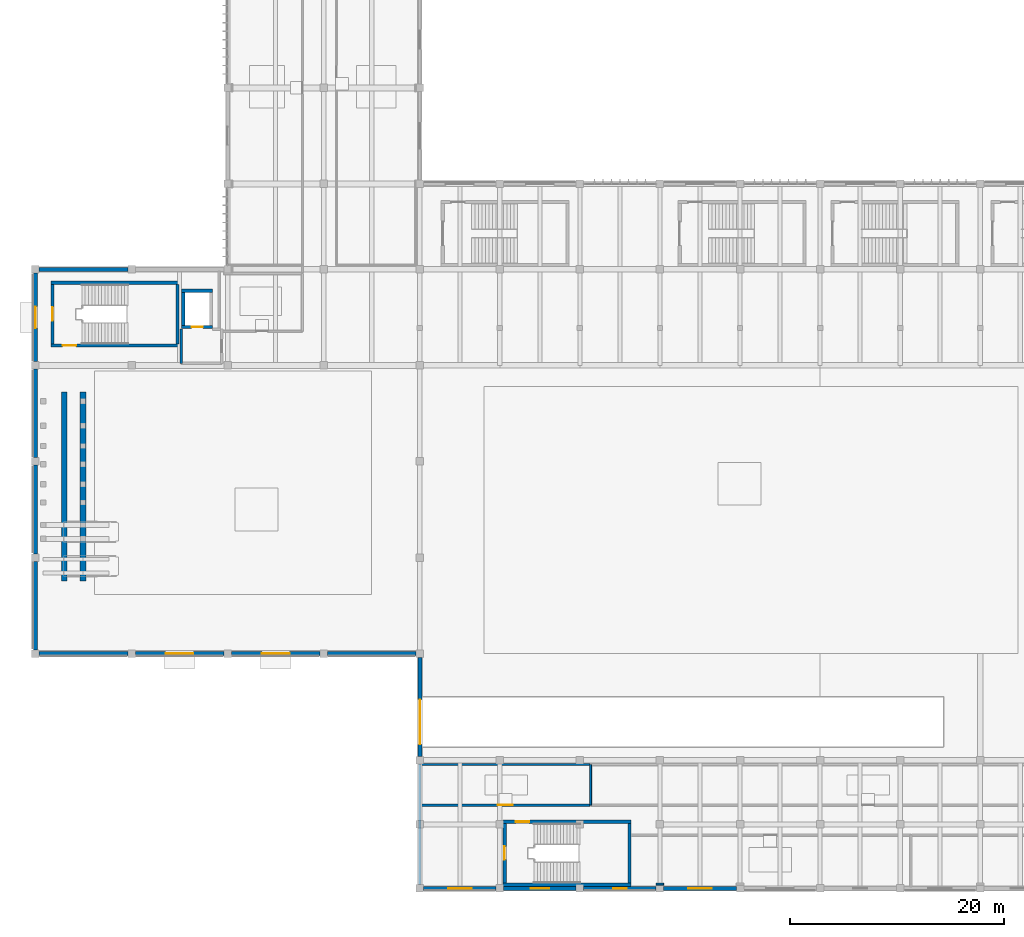
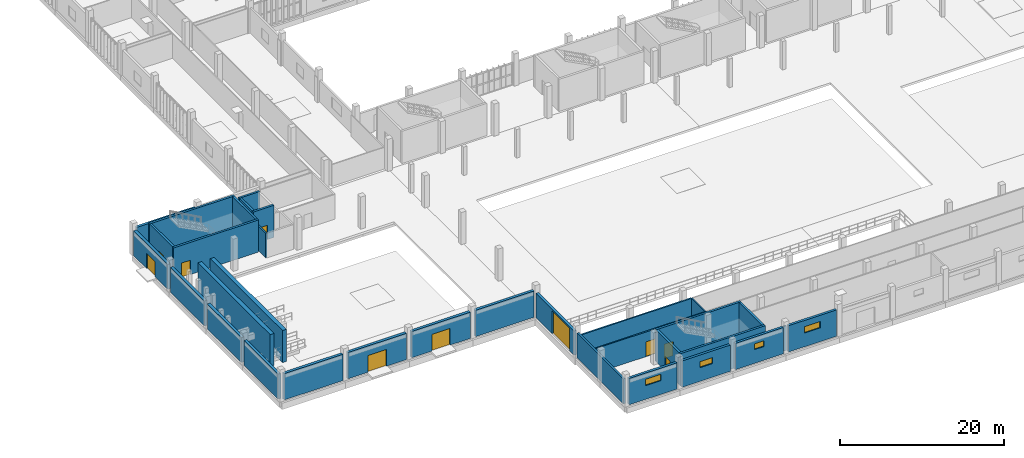
# One storey, part 42 of 72: 33 walls, 10 doors, 4 windows, 14 openings.
"""IFC4 building model written with IfcOpenShell, lengths in metres."""

import ifcopenshell
import ifcopenshell.guid

model = None  # the IFC model being written
_history = None  # IfcOwnerHistory: only IFC2X3 demands one
_inside = {}  # id of a spatial element -> (the spatial element, [elements in it])
_under = {}  # id of a project, library or spatial element -> (it, [spatial elements below it])
_declared = {}  # id of a project -> (the project, [libraries it declares])
_typed = {}  # id of a type object -> (the type object, [elements of that type])
_made_of = {}  # id of a material, layer set ... -> (it, [elements and type objects made of it])


def new_model(schema):
    """Start an empty IFC model of exactly this schema.

    Asked for "IFC4X3", IfcOpenShell would pick the latest addendum, in which some entities
    have other attributes; the version numbers below select the first issue.
    IFC2X3 requires an IfcOwnerHistory on every rooted entity: one is made here for all.
    """
    global model, _history
    if schema == "IFC4X3":
        model = ifcopenshell.file(schema_version=(4, 3, 0, 0))
    else:
        model = ifcopenshell.file(schema=schema)
    _inside.clear()
    _under.clear()
    _declared.clear()
    _typed.clear()
    _made_of.clear()
    _history = None
    if model.schema == "IFC2X3":
        org = make("IfcOrganization", Name="unknown")
        user = make(
            "IfcPersonAndOrganization",
            ThePerson=make("IfcPerson", FamilyName="unknown"),
            TheOrganization=org,
        )
        app = make(
            "IfcApplication",
            ApplicationDeveloper=org,
            Version="unknown",
            ApplicationFullName="unknown",
            ApplicationIdentifier="unknown",
        )
        _history = make(
            "IfcOwnerHistory",
            OwningUser=user,
            OwningApplication=app,
            ChangeAction="ADDED",
            CreationDate=0,
        )
    return model


def make(cls, **values):
    """One entity of the class cls with the attributes given. An attribute that is None is left unset."""
    return model.create_entity(
        cls, **{name: value for name, value in values.items() if value is not None}
    )


def rooted(cls, **values):
    """An entity with a GlobalId (a new one), such as an element, a storey or a relation."""
    return make(cls, GlobalId=ifcopenshell.guid.new(), OwnerHistory=_history, **values)


def si_unit(unit_type, name, prefix=None):
    """IfcSIUnit, for example si_unit("LENGTHUNIT", "METRE", prefix="MILLI")."""
    return make("IfcSIUnit", UnitType=unit_type, Prefix=prefix, Name=name)


def assignment(units):
    """IfcUnitAssignment: the units of a project."""
    return None if units is None else make("IfcUnitAssignment", Units=units)


def point(xyz):
    """IfcCartesianPoint."""
    return None if xyz is None else make("IfcCartesianPoint", Coordinates=xyz)


def direction(xyz):
    """IfcDirection."""
    return None if xyz is None else make("IfcDirection", DirectionRatios=xyz)


def frame(location, z_axis=None, x_axis=None):
    """IfcAxis2Placement3D, a coordinate frame: its origin and axes. An axis left out is left unset."""
    return make(
        "IfcAxis2Placement3D",
        Location=point(location),
        Axis=direction(z_axis),
        RefDirection=direction(x_axis),
    )


def frame_2d(location, x_axis=None):
    """IfcAxis2Placement2D, a coordinate frame in the plane: its origin and x axis."""
    return make(
        "IfcAxis2Placement2D", Location=point(location), RefDirection=direction(x_axis)
    )


def origin():
    """The frame at (0, 0, 0) with its axes left unset."""
    return frame((0.0, 0.0, 0.0))


def place(relative_to, where):
    """IfcLocalPlacement: puts the frame where relative to a parent placement (None: the world)."""
    return make(
        "IfcLocalPlacement", PlacementRelTo=relative_to, RelativePlacement=where
    )


def context(
    kind, dimensions, precision=None, world=None, true_north=None, identifier=None
):
    """IfcGeometricRepresentationContext, for example the 3D "Model" context."""
    return make(
        "IfcGeometricRepresentationContext",
        ContextIdentifier=identifier,
        ContextType=kind,
        CoordinateSpaceDimension=dimensions,
        Precision=precision,
        WorldCoordinateSystem=world,
        TrueNorth=true_north,
    )


def subcontext(parent, identifier, kind, view, scale=None):
    """IfcGeometricRepresentationSubContext, for example "Body" below "Model"."""
    return make(
        "IfcGeometricRepresentationSubContext",
        ContextIdentifier=identifier,
        ContextType=kind,
        ParentContext=parent,
        TargetScale=scale,
        TargetView=view,
    )


def project(units=None, contexts=None):
    """IfcProject with its units and contexts."""
    return rooted(
        "IfcProject",
        Name="project",
        RepresentationContexts=contexts,
        UnitsInContext=assignment(units),
    )


def spatial(cls, under=None, at=None, **own):
    """A site, building, storey or space (cls), placed at a placement, below another one or the project."""
    s = rooted(cls, ObjectPlacement=at, **own)
    if under is not None:
        _under.setdefault(under.id(), (under, []))[1].append(s)
    return s


def profile(cls, at=None, kind="AREA", **sizes):
    """A parametric profile (cls). Its sizes go by their IFC names, for example OverallWidth=200.0."""
    return make(cls, ProfileType=kind, Position=at, **sizes)


def rectangle(**sizes):
    """IfcRectangleProfileDef."""
    return profile("IfcRectangleProfileDef", **sizes)


def extrude(swept, where, along, depth):
    """IfcExtrudedAreaSolid: the profile swept, set in the frame where, extruded along a direction by depth."""
    return make(
        "IfcExtrudedAreaSolid",
        SweptArea=swept,
        Position=where,
        ExtrudedDirection=direction(along),
        Depth=depth,
    )


def shape(context_of_items, identifier, shape_type, items):
    """IfcShapeRepresentation: the items that make up one representation, for example the "Body"."""
    return make(
        "IfcShapeRepresentation",
        ContextOfItems=context_of_items,
        RepresentationIdentifier=identifier,
        RepresentationType=shape_type,
        Items=items,
    )


def material(Name=None, Category=None):
    """IfcMaterial."""
    return make("IfcMaterial", Name=Name, Category=Category)


def layer(
    of_material, thickness, ventilated=None, Name=None, Category=None, Priority=None
):
    """IfcMaterialLayer: one layer of a wall or slab, of a material (None: an air gap)."""
    return make(
        "IfcMaterialLayer",
        Material=of_material,
        LayerThickness=thickness,
        IsVentilated=ventilated,
        Name=Name,
        Category=Category,
        Priority=Priority,
    )


def layer_set(layers, Name=None):
    """IfcMaterialLayerSet."""
    return make("IfcMaterialLayerSet", MaterialLayers=layers, LayerSetName=Name)


def made_of(thing, what):
    """Note that an element or type object is made of a material, layer set ...; save() writes the relation."""
    if what is not None:
        _made_of.setdefault(what.id(), (what, []))[1].append(thing)
    return thing


def type_object(cls, material=None, **own):
    """A type object (cls), such as IfcWallType, which elements share."""
    return made_of(rooted(cls, **own), material)


def element(
    cls,
    number,
    at=None,
    inside=None,
    cuts=None,
    type_object=None,
    material=None,
    context=None,
    identifier="Body",
    shape_type=None,
    held_by="IfcProductDefinitionShape",
    body=None,
    shapes=None,
    **own,
):
    """One element of the class cls, such as IfcWall. Its Tag is "e" and its number.

    at: its placement. inside: the storey or other place that contains it. cuts: it is an
    opening in that element (IfcRelVoidsElement). A single representation is given by context,
    identifier, shape_type and body (its items); several are given by shapes. held_by: the class
    of the entity that holds the representations. save() writes the other relations.
    """
    e = rooted(cls, Tag="e%d" % number, ObjectPlacement=at, **own)
    if body is not None:
        shapes = [shape(context, identifier, shape_type, body)]
    if shapes is not None:
        e.Representation = make(held_by, Representations=shapes)
    if inside is not None:
        _inside.setdefault(inside.id(), (inside, []))[1].append(e)
    if cuts is not None:
        rooted(
            "IfcRelVoidsElement", RelatingBuildingElement=cuts, RelatedOpeningElement=e
        )
    if type_object is not None:
        _typed.setdefault(type_object.id(), (type_object, []))[1].append(e)
    return made_of(e, material)


def fill(opening, filler):
    """IfcRelFillsElement: the door or window that sits in an opening."""
    return rooted(
        "IfcRelFillsElement",
        RelatingOpeningElement=opening,
        RelatedBuildingElement=filler,
    )


def aggregate(whole, parts):
    """IfcRelAggregates: a whole, such as a stair, and the parts it consists of."""
    return rooted("IfcRelAggregates", RelatingObject=whole, RelatedObjects=parts)


def save(model, path):
    """Write the relations noted so far, then the file.

    IfcRelAggregates (storeys below a building ...), IfcRelContainedInSpatialStructure (elements
    in a storey), IfcRelDefinesByType, IfcRelAssociatesMaterial and IfcRelDeclares: one each for
    every whole, place, type object, material and project.
    """
    for whole, parts in _under.values():
        aggregate(whole, parts)
    for where, things in _inside.values():
        rooted(
            "IfcRelContainedInSpatialStructure",
            RelatedElements=things,
            RelatingStructure=where,
        )
    for kind, things in _typed.values():
        rooted("IfcRelDefinesByType", RelatedObjects=things, RelatingType=kind)
    for what, things in _made_of.values():
        rooted("IfcRelAssociatesMaterial", RelatedObjects=things, RelatingMaterial=what)
    for by, libraries in _declared.values():
        rooted("IfcRelDeclares", RelatingContext=by, RelatedDefinitions=libraries)
    model.write(path)


model = new_model("IFC4")

# Units and contexts
model_context = context("Model", 3, precision=1e-05, world=origin(), true_north=direction((0.0, 1.0)))
body_context = subcontext(model_context, "Body", "Model", "MODEL_VIEW")
ifc_project = project(units=[si_unit("LENGTHUNIT", "METRE"), si_unit("AREAUNIT", "SQUARE_METRE"), si_unit("VOLUMEUNIT", "CUBIC_METRE"), si_unit("PLANEANGLEUNIT", "RADIAN"), si_unit("MASSUNIT", "GRAM", prefix="KILO")], contexts=[model_context])

# Site, building, storey
site_placement = place(None, origin())
site = spatial("IfcSite", under=ifc_project, at=site_placement, CompositionType="ELEMENT")
building_placement = place(site_placement, origin())
building = spatial("IfcBuilding", under=site, at=building_placement, Name="Vourika Railside Aquatics Centre", CompositionType="ELEMENT")
storey_placement = place(building_placement, origin())
storey = spatial("IfcBuildingStorey", under=building, at=storey_placement, Name="L00", CompositionType="ELEMENT", Elevation=0.0)

# Wall, opening, door
ifc_material_1 = material(Name="Concrete C40/50", Category="concrete")
ifc_layer_1 = layer(ifc_material_1, 0.300048828125, Name="WL-CORE")
ifc_layer_set_1 = layer_set([ifc_layer_1], Name="Concrete C40/50")
wall_type_1 = type_object("IfcWallType", Name="WL-CORE", PredefinedType="SHEAR", material=ifc_layer_set_1)
wall_1_placement = place(storey_placement, frame((1.449951171875, 50.85009765625, 0.0), z_axis=(0.0, 0.0, 1.0), x_axis=(1.0, 0.0, 0.0)))
wall_1 = element("IfcWall", 1, at=wall_1_placement, inside=storey, type_object=wall_type_1, Name="Protected Exit Stair Core ST04 South Wall (L00)", PredefinedType="SHEAR", context=body_context, shape_type="SweptSolid", body=[
    extrude(rectangle(XDim=12.0, YDim=0.300048828125, at=frame_2d((6.0, 0.0))), origin(), (0.0, 0.0, 1.0), 4.800048828125),
])
opening_1_placement = place(wall_1_placement, frame((1.10009765625, 0.0, 0.0)))
opening_1 = element("IfcOpeningElement", 2, at=opening_1_placement, cuts=wall_1, Name="Opening DF02", PredefinedType="OPENING", context=body_context, shape_type="SweptSolid", body=[
    extrude(rectangle(XDim=1.25, YDim=2.14990234375, at=frame_2d((0.625, 1.074951171875))), frame((0.0, 0.16015625, 0.0), z_axis=(0.0, -1.0, 0.0), x_axis=(1.0, 0.0, 0.0)), (0.0, 0.0, 1.0), 0.320068359375),
])
ifc_material_2 = material(Name="Fire-rated wide exit stair door")
door_type_1 = type_object("IfcDoorType", Name="DR-FD60-125", OperationType="NOTDEFINED", PredefinedType="DOOR", material=ifc_material_2)
door_1_placement = place(opening_1_placement, origin())
door_1 = element("IfcDoor", 3, at=door_1_placement, inside=storey, type_object=door_type_1, Name="Protected Exit Stair Core ST04 Enclosure Fire Door (L00)", OperationType="SINGLE_SWING_RIGHT", OverallHeight=2.14990234375, OverallWidth=1.25, PredefinedType="DOOR", context=body_context, shape_type="SweptSolid", body=[
    extrude(rectangle(XDim=1.25, YDim=2.14990234375, at=frame_2d((0.625, 1.074951171875))), frame((0.0, 0.02490234375, 0.0), z_axis=(0.0, -1.0, 0.0), x_axis=(1.0, 0.0, 0.0)), (0.0, 0.0, 1.0), 0.050048828125),
])
fill(opening_1, door_1)

# Wall
wall_2_placement = place(storey_placement, frame((13.449951171875, 56.75, 0.0), z_axis=(0.0, 0.0, 1.0), x_axis=(-1.0, 0.0, 0.0)))
element("IfcWall", 4, at=wall_2_placement, inside=storey, type_object=wall_type_1, Name="Protected Exit Stair Core ST04 North Wall (L00)", PredefinedType="SHEAR", context=body_context, shape_type="SweptSolid", body=[
    extrude(rectangle(XDim=12.0, YDim=0.300048828125, at=frame_2d((6.0, 0.0))), origin(), (0.0, 0.0, 1.0), 4.800048828125),
])

# Wall, opening, door
wall_3_placement = place(storey_placement, frame((1.60009765625, 56.60009765625, 0.0), z_axis=(0.0, 0.0, 1.0), x_axis=(0.0, -1.0, 0.0)))
wall_3 = element("IfcWall", 5, at=wall_3_placement, inside=storey, type_object=wall_type_1, Name="Protected Exit Stair Core ST04 West Wall (L00)", PredefinedType="SHEAR", context=body_context, shape_type="SweptSolid", body=[
    extrude(rectangle(XDim=5.60009765625, YDim=0.300048828125, at=frame_2d((2.800048828125, 0.0))), origin(), (0.0, 0.0, 1.0), 4.800048828125),
])
opening_2_placement = place(wall_3_placement, frame((2.14990234375, 0.0, 0.0)))
opening_2 = element("IfcOpeningElement", 6, at=opening_2_placement, cuts=wall_3, Name="Opening DF02", PredefinedType="OPENING", context=body_context, shape_type="SweptSolid", body=[
    extrude(rectangle(XDim=1.25, YDim=2.14990234375, at=frame_2d((0.625, 1.074951171875))), frame((0.0, 0.16015625, 0.0), z_axis=(0.0, -1.0, 0.0), x_axis=(1.0, 0.0, 0.0)), (0.0, 0.0, 1.0), 0.320068359375),
])
door_2_placement = place(opening_2_placement, origin())
door_2 = element("IfcDoor", 7, at=door_2_placement, inside=storey, type_object=door_type_1, Name="Protected Exit Stair Core ST04 Grade Exit Vestibule Door", OperationType="SINGLE_SWING_LEFT", OverallHeight=2.14990234375, OverallWidth=1.25, PredefinedType="DOOR", context=body_context, shape_type="SweptSolid", body=[
    extrude(rectangle(XDim=1.25, YDim=2.14990234375, at=frame_2d((0.625, 1.074951171875))), frame((0.0, 0.02490234375, 0.0), z_axis=(0.0, -1.0, 0.0), x_axis=(1.0, 0.0, 0.0)), (0.0, 0.0, 1.0), 0.050048828125),
])
fill(opening_2, door_2)

# Walls
wall_4_placement = place(storey_placement, frame((13.300048828125, 51.0, 0.0), z_axis=(0.0, 0.0, 1.0), x_axis=(0.0, 1.0, 0.0)))
element("IfcWall", 8, at=wall_4_placement, inside=storey, type_object=wall_type_1, Name="Protected Exit Stair Core ST04 East Wall (L00)", PredefinedType="SHEAR", context=body_context, shape_type="SweptSolid", body=[
    extrude(rectangle(XDim=5.60009765625, YDim=0.300048828125, at=frame_2d((2.800048828125, 0.0))), origin(), (0.0, 0.0, 1.0), 4.800048828125),
])
wall_5_placement = place(storey_placement, frame((55.800048828125, 0.35009765625, 0.0), z_axis=(0.0, 0.0, 1.0), x_axis=(-1.0, 0.0, 0.0)))
element("IfcWall", 9, at=wall_5_placement, inside=storey, type_object=wall_type_1, Name="Protected Exit Stair Core ST11 South Wall (L00)", PredefinedType="SHEAR", context=body_context, shape_type="SweptSolid", body=[
    extrude(rectangle(XDim=12.0, YDim=0.300048828125, at=frame_2d((6.0, 0.0))), origin(), (0.0, 0.0, 1.0), 4.800048828125),
])

# Wall, opening, door
wall_6_placement = place(storey_placement, frame((55.800048828125, 6.25, 0.0), z_axis=(0.0, 0.0, 1.0), x_axis=(-1.0, 0.0, 0.0)))
wall_6 = element("IfcWall", 10, at=wall_6_placement, inside=storey, type_object=wall_type_1, Name="Protected Exit Stair Core ST11 North Wall (L00)", PredefinedType="SHEAR", context=body_context, shape_type="SweptSolid", body=[
    extrude(rectangle(XDim=12.0, YDim=0.300048828125, at=frame_2d((6.0, 0.0))), origin(), (0.0, 0.0, 1.0), 4.800048828125),
])
opening_3_placement = place(wall_6_placement, frame((9.550048828125, 0.0, 0.0)))
opening_3 = element("IfcOpeningElement", 11, at=opening_3_placement, cuts=wall_6, Name="Opening DF02", PredefinedType="OPENING", context=body_context, shape_type="SweptSolid", body=[
    extrude(rectangle(XDim=1.25, YDim=2.14990234375, at=frame_2d((0.625, 1.074951171875))), frame((0.0, 0.16015625, 0.0), z_axis=(0.0, -1.0, 0.0), x_axis=(1.0, 0.0, 0.0)), (0.0, 0.0, 1.0), 0.320068359375),
])
door_3_placement = place(opening_3_placement, origin())
door_3 = element("IfcDoor", 12, at=door_3_placement, inside=storey, type_object=door_type_1, Name="Protected Exit Stair Core ST11 Enclosure Fire Door (L00)", OperationType="SINGLE_SWING_LEFT", OverallHeight=2.14990234375, OverallWidth=1.25, PredefinedType="DOOR", context=body_context, shape_type="SweptSolid", body=[
    extrude(rectangle(XDim=1.25, YDim=2.14990234375, at=frame_2d((0.625, 1.074951171875))), frame((0.0, 0.02490234375, 0.0), z_axis=(0.0, -1.0, 0.0), x_axis=(1.0, 0.0, 0.0)), (0.0, 0.0, 1.0), 0.050048828125),
])
fill(opening_3, door_3)

wall_7_placement = place(storey_placement, frame((43.949951171875, 6.10009765625, 0.0), z_axis=(0.0, 0.0, 1.0), x_axis=(0.0, -1.0, 0.0)))
wall_7 = element("IfcWall", 13, at=wall_7_placement, inside=storey, type_object=wall_type_1, Name="Protected Exit Stair Core ST11 West Wall (L00)", PredefinedType="SHEAR", context=body_context, shape_type="SweptSolid", body=[
    extrude(rectangle(XDim=5.60009765625, YDim=0.300048828125, at=frame_2d((2.800048828125, 0.0))), origin(), (0.0, 0.0, 1.0), 4.800048828125),
])
opening_4_placement = place(wall_7_placement, frame((2.14990234375, 0.0, 0.0)))
opening_4 = element("IfcOpeningElement", 14, at=opening_4_placement, cuts=wall_7, Name="Opening DF02", PredefinedType="OPENING", context=body_context, shape_type="SweptSolid", body=[
    extrude(rectangle(XDim=1.25, YDim=2.14990234375, at=frame_2d((0.625, 1.074951171875))), frame((0.0, 0.16015625, 0.0), z_axis=(0.0, -1.0, 0.0), x_axis=(1.0, 0.0, 0.0)), (0.0, 0.0, 1.0), 0.320068359375),
])
door_4_placement = place(opening_4_placement, origin())
door_4 = element("IfcDoor", 15, at=door_4_placement, inside=storey, type_object=door_type_1, Name="Protected Exit Stair Core ST11 Grade Exit Vestibule Door", OperationType="SINGLE_SWING_RIGHT", OverallHeight=2.14990234375, OverallWidth=1.25, PredefinedType="DOOR", context=body_context, shape_type="SweptSolid", body=[
    extrude(rectangle(XDim=1.25, YDim=2.14990234375, at=frame_2d((0.625, 1.074951171875))), frame((0.0, 0.02490234375, 0.0), z_axis=(0.0, -1.0, 0.0), x_axis=(1.0, 0.0, 0.0)), (0.0, 0.0, 1.0), 0.050048828125),
])
fill(opening_4, door_4)

# Wall
wall_8_placement = place(storey_placement, frame((55.64990234375, 0.5, 0.0), z_axis=(0.0, 0.0, 1.0), x_axis=(0.0, 1.0, 0.0)))
element("IfcWall", 16, at=wall_8_placement, inside=storey, type_object=wall_type_1, Name="Protected Exit Stair Core ST11 East Wall (L00)", PredefinedType="SHEAR", context=body_context, shape_type="SweptSolid", body=[
    extrude(rectangle(XDim=5.60009765625, YDim=0.300048828125, at=frame_2d((2.800048828125, 0.0))), origin(), (0.0, 0.0, 1.0), 4.800048828125),
])

# Wall, opening, door
wall_9_placement = place(storey_placement, frame((13.699951171875, 52.60009765625, 0.0), z_axis=(0.0, 0.0, 1.0), x_axis=(1.0, 0.0, 0.0)))
wall_9 = element("IfcWall", 17, at=wall_9_placement, inside=storey, type_object=wall_type_1, Name="Lift LP02 Shaft South Wall (L00)", PredefinedType="SHEAR", context=body_context, shape_type="SweptSolid", body=[
    extrude(rectangle(XDim=2.900146484375, YDim=0.300048828125, at=frame_2d((1.4501953125, 0.0))), origin(), (0.0, 0.0, 1.0), 4.800048828125),
])
opening_5_placement = place(wall_9_placement, frame((0.925048828125, 0.0, 0.0)))
opening_5 = element("IfcOpeningElement", 18, at=opening_5_placement, cuts=wall_9, Name="Opening LD02", PredefinedType="OPENING", context=body_context, shape_type="SweptSolid", body=[
    extrude(rectangle(XDim=1.050048828125, YDim=2.14990234375, at=frame_2d((0.52490234375, 1.074951171875))), frame((0.0, 0.16015625, 0.0), z_axis=(0.0, -1.0, 0.0), x_axis=(1.0, 0.0, 0.0)), (0.0, 0.0, 1.0), 0.320068359375),
])
ifc_material_3 = material(Name="Stainless passenger lift landing door")
door_type_2 = type_object("IfcDoorType", Name="DR-LIFT-LD2", OperationType="DOUBLE_DOOR_SLIDING", PredefinedType="DOOR", material=ifc_material_3)
door_5_placement = place(opening_5_placement, origin())
door_5 = element("IfcDoor", 19, at=door_5_placement, inside=storey, type_object=door_type_2, Name="Lift LP02 Sliding Landing Door (L00)", OperationType="DOUBLE_DOOR_SLIDING", OverallHeight=2.14990234375, OverallWidth=1.050048828125, PredefinedType="DOOR", context=body_context, shape_type="SweptSolid", body=[
    extrude(rectangle(XDim=1.050048828125, YDim=2.14990234375, at=frame_2d((0.52490234375, 1.074951171875))), frame((0.0, 0.02490234375, 0.0), z_axis=(0.0, -1.0, 0.0), x_axis=(1.0, 0.0, 0.0)), (0.0, 0.0, 1.0), 0.050048828125),
])
fill(opening_5, door_5)

# Walls
wall_10_placement = place(storey_placement, frame((16.60009765625, 56.0, 0.0), z_axis=(0.0, 0.0, 1.0), x_axis=(-1.0, 0.0, 0.0)))
element("IfcWall", 20, at=wall_10_placement, inside=storey, type_object=wall_type_1, Name="Lift LP02 Shaft North Wall (L00)", PredefinedType="SHEAR", context=body_context, shape_type="SweptSolid", body=[
    extrude(rectangle(XDim=2.900146484375, YDim=0.300048828125, at=frame_2d((1.4501953125, 0.0))), origin(), (0.0, 0.0, 1.0), 4.800048828125),
])
wall_11_placement = place(storey_placement, frame((13.85009765625, 56.0, 0.0), z_axis=(0.0, 0.0, 1.0), x_axis=(0.0, -1.0, 0.0)))
element("IfcWall", 21, at=wall_11_placement, inside=storey, type_object=wall_type_1, Name="Lift LP02 Shaft West Wall (L00)", PredefinedType="SHEAR", context=body_context, shape_type="SweptSolid", body=[
    extrude(rectangle(XDim=3.39990234375, YDim=0.300048828125, at=frame_2d((1.699951171875, 0.0))), origin(), (0.0, 0.0, 1.0), 4.800048828125),
])
ifc_layer_2 = layer(ifc_material_1, 0.550048828125, Name="WL-DIVE-550")
ifc_layer_set_2 = layer_set([ifc_layer_2], Name="Concrete C40/50")
wall_type_2 = type_object("IfcWallType", Name="WL-DIVE-550", PredefinedType="SOLIDWALL", material=ifc_layer_set_2)
for number, where, z_axis, x_axis, name in (
    (22, (2.699951171875, 28.800048828125, 0.0), (0.0, 0.0, 1.0), (0.0, 1.0, 0.0), "Sculpted Diving Tower Spine Wall W (L00)"),
    (23, (4.449951171875, 28.800048828125, 0.0), (0.0, 0.0, 1.0), (0.0, 1.0, 0.0), "Sculpted Diving Tower Spine Wall E (L00)"),
):
    element("IfcWall", number, at=place(storey_placement, frame(where, z_axis=z_axis, x_axis=x_axis)), inside=storey, type_object=wall_type_2, Name=name, PredefinedType="SOLIDWALL", context=body_context, shape_type="SweptSolid", body=[
        extrude(rectangle(XDim=17.699951171875, YDim=0.550048828125, at=frame_2d((8.85009765625, 0.0))), origin(), (0.0, 0.0, 1.0), 4.800048828125),
    ])
ifc_material_4 = material(Name="Precast concrete C40/50", Category="concrete")
ifc_layer_3 = layer(ifc_material_4, 0.27001953125, Name="WL-EXT-270")
ifc_layer_set_3 = layer_set([ifc_layer_3], Name="Precast concrete C40/50")
wall_type_3 = type_object("IfcWallType", Name="WL-EXT-270", PredefinedType="SOLIDWALL", material=ifc_layer_set_3)
wall_12_placement = place(storey_placement, frame((36.0, 11.64990234375, 0.0), z_axis=(0.0, 0.0, 1.0), x_axis=(0.0, -1.0, 0.0)))
element("IfcWall", 24, at=wall_12_placement, inside=storey, type_object=wall_type_3, Name="Changing Village West Return Wall (L00)", PredefinedType="SOLIDWALL", context=body_context, shape_type="SweptSolid", body=[
    extrude(rectangle(XDim=11.2998046875, YDim=0.27001953125, at=frame_2d((5.64990234375, 0.0))), origin(), (0.0, 0.0, 1.0), 3.72998046875),
])

# Wall, opening, window
ifc_layer_4 = layer(ifc_material_4, 0.340087890625, Name="WL-EXT-340")
ifc_layer_set_4 = layer_set([ifc_layer_4], Name="Precast concrete C40/50")
wall_type_4 = type_object("IfcWallType", Name="WL-EXT-340", PredefinedType="SOLIDWALL", material=ifc_layer_set_4)
wall_13_placement = place(storey_placement, frame((36.35009765625, 0.0, 0.0), z_axis=(0.0, 0.0, 1.0), x_axis=(1.0, 0.0, 0.0)))
wall_13 = element("IfcWall", 25, at=wall_13_placement, inside=storey, type_object=wall_type_4, Name="Changing Village South Precast Wall L00-1", PredefinedType="SOLIDWALL", context=body_context, shape_type="SweptSolid", body=[
    extrude(rectangle(XDim=6.7998046875, YDim=0.340087890625, at=frame_2d((3.39990234375, 0.0))), origin(), (0.0, 0.0, 1.0), 3.929931640625),
])
opening_6_placement = place(wall_13_placement, frame((2.300048828125, 0.0, 2.050048828125)))
opening_6 = element("IfcOpeningElement", 26, at=opening_6_placement, cuts=wall_13, Name="Opening W17", PredefinedType="OPENING", context=body_context, shape_type="SweptSolid", body=[
    extrude(rectangle(XDim=2.199951171875, YDim=0.949951171875, at=frame_2d((1.10009765625, 0.47509765625))), frame((0.0, 0.18017578125, 0.0), z_axis=(0.0, -1.0, 0.0), x_axis=(1.0, 0.0, 0.0)), (0.0, 0.0, 1.0), 0.360107421875),
])
ifc_material_5 = material(Name="Laminated solar-control glass", Category="glass")
window_type_1 = type_object("IfcWindowType", Name="WN-CHG-220x095", PartitioningType="DOUBLE_PANEL_HORIZONTAL", PredefinedType="WINDOW", material=ifc_material_5)
window_1_placement = place(opening_6_placement, origin())
window_1 = element("IfcWindow", 27, at=window_1_placement, inside=storey, type_object=window_type_1, Name="Changing High-Level Privacy Window L00-1", OverallHeight=0.949951171875, OverallWidth=2.199951171875, PartitioningType="SINGLE_PANEL", PredefinedType="WINDOW", context=body_context, shape_type="SweptSolid", body=[
    extrude(rectangle(XDim=2.199951171875, YDim=0.949951171875, at=frame_2d((1.10009765625, 0.47509765625))), frame((0.0, 0.030029296875, 0.0), z_axis=(0.0, -1.0, 0.0), x_axis=(1.0, 0.0, 0.0)), (0.0, 0.0, 1.0), 0.06005859375),
])
fill(opening_6, window_1)

wall_14_placement = place(storey_placement, frame((43.85009765625, 0.0, 0.0), z_axis=(0.0, 0.0, 1.0), x_axis=(1.0, 0.0, 0.0)))
wall_14 = element("IfcWall", 28, at=wall_14_placement, inside=storey, type_object=wall_type_4, Name="Changing Village South Precast Wall L00-2", PredefinedType="SOLIDWALL", context=body_context, shape_type="SweptSolid", body=[
    extrude(rectangle(XDim=6.7998046875, YDim=0.340087890625, at=frame_2d((3.39990234375, 0.0))), origin(), (0.0, 0.0, 1.0), 3.929931640625),
])
opening_7_placement = place(wall_14_placement, frame((2.52490234375, 0.0, 2.050048828125)))
opening_7 = element("IfcOpeningElement", 29, at=opening_7_placement, cuts=wall_14, Name="Opening W18", PredefinedType="OPENING", context=body_context, shape_type="SweptSolid", body=[
    extrude(rectangle(XDim=1.75, YDim=0.89990234375, at=frame_2d((0.875, 0.449951171875))), frame((0.0, 0.18017578125, 0.0), z_axis=(0.0, -1.0, 0.0), x_axis=(1.0, 0.0, 0.0)), (0.0, 0.0, 1.0), 0.360107421875),
])
window_type_2 = type_object("IfcWindowType", Name="WN-CHG-175x090", PartitioningType="DOUBLE_PANEL_HORIZONTAL", PredefinedType="WINDOW", material=ifc_material_5)
window_2_placement = place(opening_7_placement, origin())
window_2 = element("IfcWindow", 30, at=window_2_placement, inside=storey, type_object=window_type_2, Name="Changing High-Level Privacy Window L00-2", OverallHeight=0.89990234375, OverallWidth=1.75, PartitioningType="SINGLE_PANEL", PredefinedType="WINDOW", context=body_context, shape_type="SweptSolid", body=[
    extrude(rectangle(XDim=1.75, YDim=0.89990234375, at=frame_2d((0.875, 0.449951171875))), frame((0.0, 0.030029296875, 0.0), z_axis=(0.0, -1.0, 0.0), x_axis=(1.0, 0.0, 0.0)), (0.0, 0.0, 1.0), 0.06005859375),
])
fill(opening_7, window_2)

wall_15_placement = place(storey_placement, frame((51.35009765625, 0.0, 0.0), z_axis=(0.0, 0.0, 1.0), x_axis=(1.0, 0.0, 0.0)))
wall_15 = element("IfcWall", 31, at=wall_15_placement, inside=storey, type_object=wall_type_4, Name="Changing Village South Precast Wall L00-3", PredefinedType="SOLIDWALL", context=body_context, shape_type="SweptSolid", body=[
    extrude(rectangle(XDim=6.7998046875, YDim=0.340087890625, at=frame_2d((3.39990234375, 0.0))), origin(), (0.0, 0.0, 1.0), 3.929931640625),
])
opening_8_placement = place(wall_15_placement, frame((2.75, 0.0, 2.050048828125)))
opening_8 = element("IfcOpeningElement", 32, at=opening_8_placement, cuts=wall_15, Name="Opening W19", PredefinedType="OPENING", context=body_context, shape_type="SweptSolid", body=[
    extrude(rectangle(XDim=1.300048828125, YDim=0.85009765625, at=frame_2d((0.64990234375, 0.425048828125))), frame((0.0, 0.18017578125, 0.0), z_axis=(0.0, -1.0, 0.0), x_axis=(1.0, 0.0, 0.0)), (0.0, 0.0, 1.0), 0.360107421875),
])
window_type_3 = type_object("IfcWindowType", Name="WN-CHG-130x085", PartitioningType="SINGLE_PANEL", PredefinedType="WINDOW", material=ifc_material_5)
window_3_placement = place(opening_8_placement, origin())
window_3 = element("IfcWindow", 33, at=window_3_placement, inside=storey, type_object=window_type_3, Name="Changing High-Level Privacy Window L00-3", OverallHeight=0.85009765625, OverallWidth=1.300048828125, PartitioningType="SINGLE_PANEL", PredefinedType="WINDOW", context=body_context, shape_type="SweptSolid", body=[
    extrude(rectangle(XDim=1.300048828125, YDim=0.85009765625, at=frame_2d((0.64990234375, 0.425048828125))), frame((0.0, 0.030029296875, 0.0), z_axis=(0.0, -1.0, 0.0), x_axis=(1.0, 0.0, 0.0)), (0.0, 0.0, 1.0), 0.06005859375),
])
fill(opening_8, window_3)

wall_16_placement = place(storey_placement, frame((58.85009765625, 0.0, 0.0), z_axis=(0.0, 0.0, 1.0), x_axis=(1.0, 0.0, 0.0)))
wall_16 = element("IfcWall", 34, at=wall_16_placement, inside=storey, type_object=wall_type_4, Name="Changing Village South Precast Wall L00-4", PredefinedType="SOLIDWALL", context=body_context, shape_type="SweptSolid", body=[
    extrude(rectangle(XDim=6.7998046875, YDim=0.340087890625, at=frame_2d((3.39990234375, 0.0))), origin(), (0.0, 0.0, 1.0), 3.929931640625),
])
opening_9_placement = place(wall_16_placement, frame((2.300048828125, 0.0, 2.050048828125)))
opening_9 = element("IfcOpeningElement", 35, at=opening_9_placement, cuts=wall_16, Name="Opening W17", PredefinedType="OPENING", context=body_context, shape_type="SweptSolid", body=[
    extrude(rectangle(XDim=2.199951171875, YDim=0.949951171875, at=frame_2d((1.10009765625, 0.47509765625))), frame((0.0, 0.18017578125, 0.0), z_axis=(0.0, -1.0, 0.0), x_axis=(1.0, 0.0, 0.0)), (0.0, 0.0, 1.0), 0.360107421875),
])
window_4_placement = place(opening_9_placement, origin())
window_4 = element("IfcWindow", 36, at=window_4_placement, inside=storey, type_object=window_type_1, Name="Changing High-Level Privacy Window L00-4", OverallHeight=0.949951171875, OverallWidth=2.199951171875, PartitioningType="SINGLE_PANEL", PredefinedType="WINDOW", context=body_context, shape_type="SweptSolid", body=[
    extrude(rectangle(XDim=2.199951171875, YDim=0.949951171875, at=frame_2d((1.10009765625, 0.47509765625))), frame((0.0, 0.030029296875, 0.0), z_axis=(0.0, -1.0, 0.0), x_axis=(1.0, 0.0, 0.0)), (0.0, 0.0, 1.0), 0.06005859375),
])
fill(opening_9, window_4)

# Wall, opening, door
ifc_layer_5 = layer(ifc_material_4, 0.3798828125, Name="WL-EXT-380")
ifc_layer_set_5 = layer_set([ifc_layer_5], Name="Precast concrete C40/50")
wall_type_5 = type_object("IfcWallType", Name="WL-EXT-380", PredefinedType="SOLIDWALL", material=ifc_layer_set_5)
wall_17_placement = place(storey_placement, frame((36.0, 21.64990234375, 0.0), z_axis=(0.0, 0.0, 1.0), x_axis=(0.0, -1.0, 0.0)))
wall_17 = element("IfcWall", 37, at=wall_17_placement, inside=storey, type_object=wall_type_5, Name="Service Vehicle Ramp West Portal Wall", PredefinedType="SOLIDWALL", context=body_context, shape_type="SweptSolid", body=[
    extrude(rectangle(XDim=9.2998046875, YDim=0.3798828125, at=frame_2d((4.64990234375, 0.0))), origin(), (0.0, 0.0, 1.0), 3.6201171875),
])
opening_10_placement = place(wall_17_placement, frame((3.949951171875, 0.0, 0.0)))
opening_10 = element("IfcOpeningElement", 38, at=opening_10_placement, cuts=wall_17, Name="Opening VD01", PredefinedType="OPENING", context=body_context, shape_type="SweptSolid", body=[
    extrude(rectangle(XDim=4.199951171875, YDim=3.39990234375, at=frame_2d((2.10009765625, 1.699951171875))), frame((0.0, 0.199951171875, 0.0), z_axis=(0.0, -1.0, 0.0), x_axis=(1.0, 0.0, 0.0)), (0.0, 0.0, 1.0), 0.39990234375),
])
ifc_material_6 = material(Name="Galvanized insulated steel", Category="steel")
door_type_3 = type_object("IfcDoorType", Name="DR-VEH-420", OperationType="ROLLINGUP", PredefinedType="GATE", material=ifc_material_6)
door_6_placement = place(opening_10_placement, frame((4.199951171875, 0.0, 0.0), z_axis=(0.0, 0.0, 1.0), x_axis=(-1.0, 0.0, 0.0)))
door_6 = element("IfcDoor", 39, at=door_6_placement, inside=storey, type_object=door_type_3, Name="Basement Service Vehicle Ramp Roller Shutter VD01", OperationType="ROLLINGUP", OverallHeight=3.39990234375, OverallWidth=4.199951171875, PredefinedType="GATE", context=body_context, shape_type="SweptSolid", body=[
    extrude(rectangle(XDim=4.199951171875, YDim=3.39990234375, at=frame_2d((2.10009765625, 1.699951171875))), frame((0.0, 0.02490234375, 0.0), z_axis=(0.0, -1.0, 0.0), x_axis=(1.0, 0.0, 0.0)), (0.0, 0.0, 1.0), 0.050048828125),
])
fill(opening_10, door_6)

# Walls
for number, where, z_axis, x_axis, name in (
    (40, (0.0, 30.64990234375, 0.0), (0.0, 0.0, 1.0), (0.0, -1.0, 0.0), "Diving Hall West Precast Wall (L00-1)"),
    (41, (0.0, 39.64990234375, 0.0), (0.0, 0.0, 1.0), (0.0, -1.0, 0.0), "Diving Hall West Precast Wall (L00-2)"),
    (42, (0.0, 48.64990234375, 0.0), (0.0, 0.0, 1.0), (0.0, -1.0, 0.0), "Diving Hall West Precast Wall (L00-3)"),
):
    element("IfcWall", number, at=place(storey_placement, frame(where, z_axis=z_axis, x_axis=x_axis)), inside=storey, type_object=wall_type_5, Name=name, PredefinedType="SOLIDWALL", context=body_context, shape_type="SweptSolid", body=[
        extrude(rectangle(XDim=8.2998046875, YDim=0.3798828125, at=frame_2d((4.14990234375, 0.0))), origin(), (0.0, 0.0, 1.0), 3.72998046875),
    ])

# Wall, opening, door
wall_18_placement = place(storey_placement, frame((0.0, 57.64990234375, 0.0), z_axis=(0.0, 0.0, 1.0), x_axis=(0.0, -1.0, 0.0)))
wall_18 = element("IfcWall", 43, at=wall_18_placement, inside=storey, type_object=wall_type_5, Name="Diving Hall West Precast Wall (L00-4)", PredefinedType="SOLIDWALL", context=body_context, shape_type="SweptSolid", body=[
    extrude(rectangle(XDim=8.2998046875, YDim=0.3798828125, at=frame_2d((4.14990234375, 0.0))), origin(), (0.0, 0.0, 1.0), 3.72998046875),
])
opening_11_placement = place(wall_18_placement, frame((3.14990234375, 0.0, 0.0)))
opening_11 = element("IfcOpeningElement", 44, at=opening_11_placement, cuts=wall_18, Name="Opening DE04", PredefinedType="OPENING", context=body_context, shape_type="SweptSolid", body=[
    extrude(rectangle(XDim=2.0, YDim=2.25, at=frame_2d((1.0, 1.125))), frame((0.0, 0.199951171875, 0.0), z_axis=(0.0, -1.0, 0.0), x_axis=(1.0, 0.0, 0.0)), (0.0, 0.0, 1.0), 0.39990234375),
])
ifc_material_7 = material(Name="Anodized aluminium", Category="aluminium")
door_type_4 = type_object("IfcDoorType", Name="DR-EXT-DBL200", OperationType="DOUBLE_DOOR_SINGLE_SWING", PredefinedType="DOOR", material=ifc_material_7)
door_7_placement = place(opening_11_placement, frame((2.0, 0.0, 0.0), z_axis=(0.0, 0.0, 1.0), x_axis=(-1.0, 0.0, 0.0)))
door_7 = element("IfcDoor", 45, at=door_7_placement, inside=storey, type_object=door_type_4, Name="Diving Core ST04 West Exit Door", OperationType="DOUBLE_DOOR_SINGLE_SWING", OverallHeight=2.25, OverallWidth=2.0, PredefinedType="DOOR", context=body_context, shape_type="SweptSolid", body=[
    extrude(rectangle(XDim=2.0, YDim=2.25, at=frame_2d((1.0, 1.125))), frame((0.0, 0.02490234375, 0.0), z_axis=(0.0, -1.0, 0.0), x_axis=(1.0, 0.0, 0.0)), (0.0, 0.0, 1.0), 0.050048828125),
])
fill(opening_11, door_7)

# Walls
for number, where, z_axis, x_axis, name in (
    (46, (0.35009765625, 22.0, 0.0), (0.0, 0.0, 1.0), (1.0, 0.0, 0.0), "Diving Hall South Wall (L00-1)"),
    (47, (8.64990234375, 58.0, 0.0), (0.0, 0.0, 1.0), (-1.0, 0.0, 0.0), "Diving Hall North Wall (L00-1)"),
):
    element("IfcWall", number, at=place(storey_placement, frame(where, z_axis=z_axis, x_axis=x_axis)), inside=storey, type_object=wall_type_5, Name=name, PredefinedType="SOLIDWALL", context=body_context, shape_type="SweptSolid", body=[
        extrude(rectangle(XDim=8.2998046875, YDim=0.3798828125, at=frame_2d((4.14990234375, 0.0))), origin(), (0.0, 0.0, 1.0), 3.929931640625),
    ])

# Wall, opening, door
wall_19_placement = place(storey_placement, frame((9.35009765625, 22.0, 0.0), z_axis=(0.0, 0.0, 1.0), x_axis=(1.0, 0.0, 0.0)))
wall_19 = element("IfcWall", 48, at=wall_19_placement, inside=storey, type_object=wall_type_5, Name="Diving Hall South Wall (L00-2)", PredefinedType="SOLIDWALL", context=body_context, shape_type="SweptSolid", body=[
    extrude(rectangle(XDim=8.2998046875, YDim=0.3798828125, at=frame_2d((4.14990234375, 0.0))), origin(), (0.0, 0.0, 1.0), 3.929931640625),
])
opening_12_placement = place(wall_19_placement, frame((2.85009765625, 0.0, 0.0)))
opening_12 = element("IfcOpeningElement", 49, at=opening_12_placement, cuts=wall_19, Name="Opening DE01", PredefinedType="OPENING", context=body_context, shape_type="SweptSolid", body=[
    extrude(rectangle(XDim=2.60009765625, YDim=2.5, at=frame_2d((1.300048828125, 1.25))), frame((0.0, 0.199951171875, 0.0), z_axis=(0.0, -1.0, 0.0), x_axis=(1.0, 0.0, 0.0)), (0.0, 0.0, 1.0), 0.39990234375),
])
door_type_5 = type_object("IfcDoorType", Name="DR-EXT-DBL260", OperationType="DOUBLE_DOOR_SINGLE_SWING", PredefinedType="DOOR", material=ifc_material_7)
door_8_placement = place(opening_12_placement, frame((2.60009765625, 0.0, 0.0), z_axis=(0.0, 0.0, 1.0), x_axis=(-1.0, 0.0, 0.0)))
door_8 = element("IfcDoor", 50, at=door_8_placement, inside=storey, type_object=door_type_5, Name="Diving Hall South Exit Door 1", OperationType="DOUBLE_DOOR_SINGLE_SWING", OverallHeight=2.5, OverallWidth=2.60009765625, PredefinedType="DOOR", context=body_context, shape_type="SweptSolid", body=[
    extrude(rectangle(XDim=2.60009765625, YDim=2.5, at=frame_2d((1.300048828125, 1.25))), frame((0.0, 0.02490234375, 0.0), z_axis=(0.0, -1.0, 0.0), x_axis=(1.0, 0.0, 0.0)), (0.0, 0.0, 1.0), 0.050048828125),
])
fill(opening_12, door_8)

wall_20_placement = place(storey_placement, frame((18.35009765625, 22.0, 0.0), z_axis=(0.0, 0.0, 1.0), x_axis=(1.0, 0.0, 0.0)))
wall_20 = element("IfcWall", 51, at=wall_20_placement, inside=storey, type_object=wall_type_5, Name="Diving Hall South Wall (L00-3)", PredefinedType="SOLIDWALL", context=body_context, shape_type="SweptSolid", body=[
    extrude(rectangle(XDim=8.2998046875, YDim=0.3798828125, at=frame_2d((4.14990234375, 0.0))), origin(), (0.0, 0.0, 1.0), 3.929931640625),
])
opening_13_placement = place(wall_20_placement, frame((2.85009765625, 0.0, 0.0)))
opening_13 = element("IfcOpeningElement", 52, at=opening_13_placement, cuts=wall_20, Name="Opening DE01", PredefinedType="OPENING", context=body_context, shape_type="SweptSolid", body=[
    extrude(rectangle(XDim=2.60009765625, YDim=2.5, at=frame_2d((1.300048828125, 1.25))), frame((0.0, 0.199951171875, 0.0), z_axis=(0.0, -1.0, 0.0), x_axis=(1.0, 0.0, 0.0)), (0.0, 0.0, 1.0), 0.39990234375),
])
door_9_placement = place(opening_13_placement, frame((2.60009765625, 0.0, 0.0), z_axis=(0.0, 0.0, 1.0), x_axis=(-1.0, 0.0, 0.0)))
door_9 = element("IfcDoor", 53, at=door_9_placement, inside=storey, type_object=door_type_5, Name="Diving Hall South Exit Door 2", OperationType="DOUBLE_DOOR_SINGLE_SWING", OverallHeight=2.5, OverallWidth=2.60009765625, PredefinedType="DOOR", context=body_context, shape_type="SweptSolid", body=[
    extrude(rectangle(XDim=2.60009765625, YDim=2.5, at=frame_2d((1.300048828125, 1.25))), frame((0.0, 0.02490234375, 0.0), z_axis=(0.0, -1.0, 0.0), x_axis=(1.0, 0.0, 0.0)), (0.0, 0.0, 1.0), 0.050048828125),
])
fill(opening_13, door_9)

# Walls
wall_21_placement = place(storey_placement, frame((27.35009765625, 22.0, 0.0), z_axis=(0.0, 0.0, 1.0), x_axis=(1.0, 0.0, 0.0)))
element("IfcWall", 54, at=wall_21_placement, inside=storey, type_object=wall_type_5, Name="Diving Hall South Wall (L00-4)", PredefinedType="SOLIDWALL", context=body_context, shape_type="SweptSolid", body=[
    extrude(rectangle(XDim=8.2998046875, YDim=0.3798828125, at=frame_2d((4.14990234375, 0.0))), origin(), (0.0, 0.0, 1.0), 3.929931640625),
])
ifc_material_8 = material(Name="Concrete C35/45", Category="concrete")
ifc_layer_6 = layer(ifc_material_8, 0.219970703125, Name="WL-FIRE")
ifc_layer_set_6 = layer_set([ifc_layer_6], Name="Concrete C35/45")
wall_type_6 = type_object("IfcWallType", Name="WL-FIRE", PredefinedType="SOLIDWALL", material=ifc_layer_set_6)
wall_22_placement = place(storey_placement, frame((13.64990234375, 49.199951171875, 0.0), z_axis=(0.0, 0.0, 1.0), x_axis=(0.0, 1.0, 0.0)))
element("IfcWall", 55, at=wall_22_placement, inside=storey, type_object=wall_type_6, Name="Lift LP02 Lobby West Fire Wall (L00)", PredefinedType="SOLIDWALL", context=body_context, shape_type="SweptSolid", body=[
    extrude(rectangle(XDim=3.199951171875, YDim=0.219970703125, at=frame_2d((1.60009765625, 0.0))), origin(), (0.0, 0.0, 1.0), 3.679931640625),
])
ifc_material_9 = material(Name="Moisture-resistant wet-village blockwork", Category="masonry")
ifc_layer_7 = layer(ifc_material_9, 0.179931640625, Name="WL-PART-180")
ifc_layer_set_7 = layer_set([ifc_layer_7], Name="Moisture-resistant wet-village blockwork")
wall_type_7 = type_object("IfcWallType", Name="WL-PART-180", PredefinedType="PARTITIONING", material=ifc_layer_set_7)
wall_23_placement = place(storey_placement, frame((58.85009765625, 0.39990234375, 0.0), z_axis=(0.0, 0.0, 1.0), x_axis=(-1.0, 0.0, 0.0)))
element("IfcWall", 56, at=wall_23_placement, inside=storey, type_object=wall_type_7, Name="Public Wet and Dry Changing Village West Partition 3", PredefinedType="PARTITIONING", context=body_context, shape_type="SweptSolid", body=[
    extrude(rectangle(XDim=0.7001953125, YDim=0.179931640625, at=frame_2d((0.35009765625, 0.0))), origin(), (0.0, 0.0, 1.0), 3.679931640625),
])
wall_24_placement = place(storey_placement, frame((52.0, 7.800048828125, 0.0), z_axis=(0.0, 0.0, 1.0), x_axis=(0.0, 1.0, 0.0)))
element("IfcWall", 57, at=wall_24_placement, inside=storey, type_object=wall_type_7, Name="Pre-Swim Showers and Pediluve Hygiene Zone Partition 2", PredefinedType="PARTITIONING", context=body_context, shape_type="SweptSolid", body=[
    extrude(rectangle(XDim=3.800048828125, YDim=0.179931640625, at=frame_2d((1.89990234375, 0.0))), origin(), (0.0, 0.0, 1.0), 3.375),
])

# Wall, opening, door
ifc_material_10 = material(Name="Acoustic masonry blockwork", Category="masonry")
ifc_layer_8 = layer(ifc_material_10, 0.199951171875, Name="WL-PART-200")
ifc_layer_set_8 = layer_set([ifc_layer_8], Name="Acoustic masonry blockwork")
wall_type_8 = type_object("IfcWallType", Name="WL-PART-200", PredefinedType="PARTITIONING", material=ifc_layer_set_8)
wall_25_placement = place(storey_placement, frame((51.929931640625, 7.800048828125, 0.0), z_axis=(0.0, 0.0, 1.0), x_axis=(-1.0, 0.0, 0.0)))
wall_25 = element("IfcWall", 58, at=wall_25_placement, inside=storey, type_object=wall_type_8, Name="Lifeguard Station and Pool Equipment Store Partition 1", PredefinedType="PARTITIONING", context=body_context, shape_type="SweptSolid", body=[
    extrude(rectangle(XDim=15.81494140625, YDim=0.199951171875, at=frame_2d((7.907470703125, 0.0))), origin(), (0.0, 0.0, 1.0), 3.679931640625),
])
opening_14_placement = place(wall_25_placement, frame((7.20751953125, 0.0, 0.0)))
opening_14 = element("IfcOpeningElement", 59, at=opening_14_placement, cuts=wall_25, Name="Opening DP01", PredefinedType="OPENING", context=body_context, shape_type="SweptSolid", body=[
    extrude(rectangle(XDim=1.39990234375, YDim=2.199951171875, at=frame_2d((0.699951171875, 1.10009765625))), frame((0.0, 0.10986328125, 0.0), z_axis=(0.0, -1.0, 0.0), x_axis=(1.0, 0.0, 0.0)), (0.0, 0.0, 1.0), 0.219970703125),
])
ifc_material_11 = material(Name="Fire-rated plant room double door")
door_type_6 = type_object("IfcDoorType", Name="DR-PLT-1400D", OperationType="DOUBLE_DOOR_SINGLE_SWING", PredefinedType="DOOR", material=ifc_material_11)
door_10_placement = place(opening_14_placement, origin())
door_10 = element("IfcDoor", 60, at=door_10_placement, inside=storey, type_object=door_type_6, Name="Lifeguard Station and Pool Equipment Store Door", OperationType="DOUBLE_DOOR_SINGLE_SWING", OverallHeight=2.199951171875, OverallWidth=1.39990234375, PredefinedType="DOOR", context=body_context, shape_type="SweptSolid", body=[
    extrude(rectangle(XDim=1.39990234375, YDim=2.199951171875, at=frame_2d((0.699951171875, 1.10009765625))), frame((0.0, 0.02490234375, 0.0), z_axis=(0.0, -1.0, 0.0), x_axis=(1.0, 0.0, 0.0)), (0.0, 0.0, 1.0), 0.050048828125),
])
fill(opening_14, door_10)

# Wall
wall_26_placement = place(storey_placement, frame((36.114990234375, 11.60009765625, 0.0), z_axis=(0.0, 0.0, 1.0), x_axis=(1.0, 0.0, 0.0)))
element("IfcWall", 61, at=wall_26_placement, inside=storey, type_object=wall_type_8, Name="Lifeguard Station and Pool Equipment Store Partition 3", PredefinedType="PARTITIONING", context=body_context, shape_type="SweptSolid", body=[
    extrude(rectangle(XDim=15.81494140625, YDim=0.199951171875, at=frame_2d((7.907470703125, 0.0))), origin(), (0.0, 0.0, 1.0), 3.375),
])

save(model, "model.ifc")
